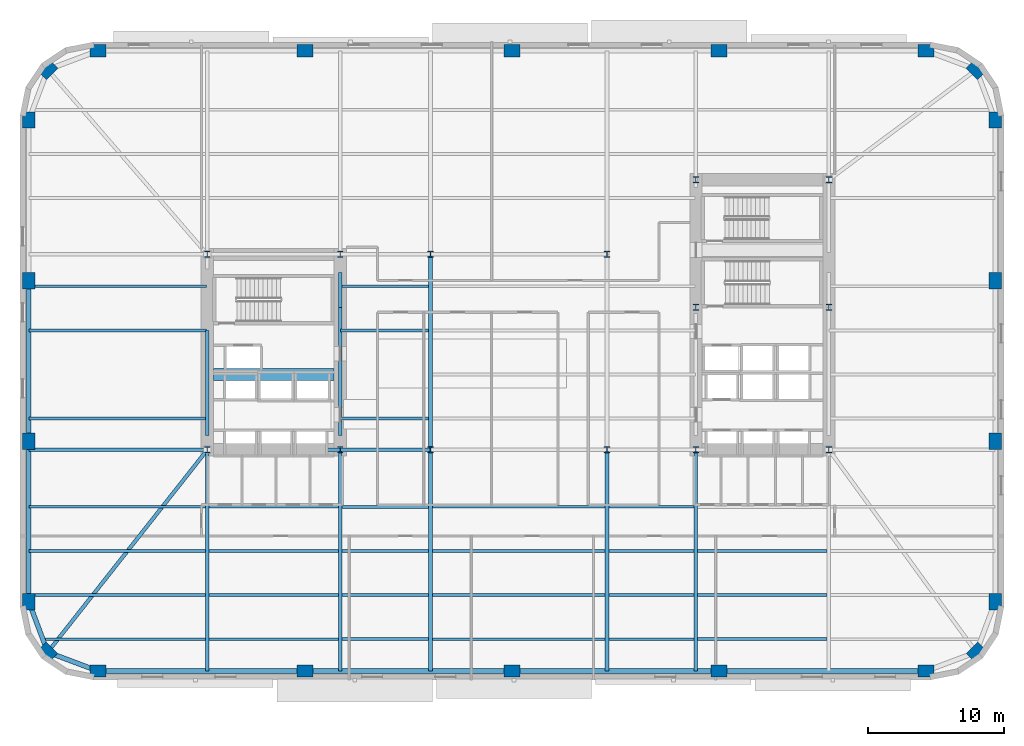
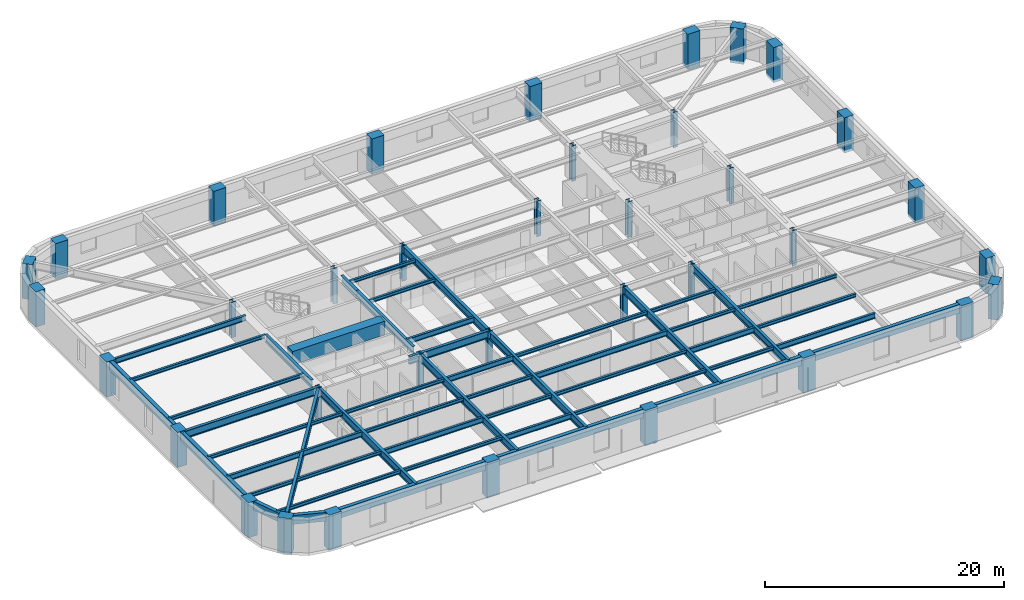
# One storey, part 1 of 14: 50 beams, 36 columns.
"""IFC4 building model written with IfcOpenShell, lengths in metres."""

from ifc_helpers import new_model, si_unit, direction, frame, origin, origin_2d, place, context, subcontext, project, spatial, rectangle, hollow_rectangle, i_section, extrude, material, material_profile, profile_set, type_object, element, save


model = new_model("IFC4")

# Units and contexts
model_context = context("Model", 3, precision=1e-05, world=origin(), true_north=direction((0.0, 1.0)))
body_context = subcontext(model_context, "Body", "Model", "MODEL_VIEW")
ifc_project = project(units=[si_unit("LENGTHUNIT", "METRE"), si_unit("AREAUNIT", "SQUARE_METRE"), si_unit("VOLUMEUNIT", "CUBIC_METRE"), si_unit("PLANEANGLEUNIT", "RADIAN"), si_unit("MASSUNIT", "GRAM", prefix="KILO")], contexts=[model_context])

# Site, building, storey
site_placement = place(None, origin())
site = spatial("IfcSite", under=ifc_project, at=site_placement, CompositionType="ELEMENT")
building_placement = place(site_placement, origin())
building = spatial("IfcBuilding", under=site, at=building_placement, Name="Kolvaren Arena Tower", CompositionType="ELEMENT")
storey_placement = place(building_placement, frame((0.0, 0.0, 90.75)))
storey = spatial("IfcBuildingStorey", under=building, at=storey_placement, Name="L20", CompositionType="ELEMENT", Elevation=90.75)

# Columns
ifc_material_1 = material(Name="Precast concrete C70/85", Category="concrete")
ifc_material_profile_1 = material_profile(ifc_material_1, rectangle(XDim=1.199951171875, YDim=0.89990234375, at=origin_2d()), Name="RC-1200x900")
ifc_profile_set_1 = profile_set([ifc_material_profile_1], Name="Precast concrete C70/85")
column_type_1 = type_object("IfcColumnType", Name="EXCOL-Z1", PredefinedType="COLUMN", material=ifc_profile_set_1)
for number, where, z_axis, x_axis, name in (
    (1, (6.5, 3.14990234375, -0.27001953125), (0.0, 0.0, 1.0), (1.0, 0.0, 0.0), "Exoskeleton Perimeter Column 01 (L20)"),
    (2, (21.75, 3.14990234375, -0.27001953125), (0.0, 0.0, 1.0), (1.0, 0.0, 0.0), "Exoskeleton Perimeter Column 02 (L20)"),
    (3, (37.0, 3.14990234375, -0.27001953125), (0.0, 0.0, 1.0), (1.0, 0.0, 0.0), "Exoskeleton Perimeter Column 03 (L20)"),
    (4, (52.25, 3.14990234375, -0.27001953125), (0.0, 0.0, 1.0), (1.0, 0.0, 0.0), "Exoskeleton Perimeter Column 04 (L20)"),
    (5, (67.5, 3.14990234375, -0.27001953125), (0.0, 0.0, 1.0), (1.0, 0.0, 0.0), "Exoskeleton Perimeter Column 05 (L20)"),
    (6, (71.208740234375, 4.541259765625, -0.27001953125), (0.0, 0.0, 1.0), (0.707106781187, 0.707106781187, 0.0), "Exoskeleton Perimeter Column 06 (L20)"),
    (7, (72.60009765625, 8.25, -0.27001953125), (0.0, 0.0, 1.0), (0.0, 1.0, 0.0), "Exoskeleton Perimeter Column 07 (L20)"),
    (8, (72.60009765625, 20.083251953125, -0.27001953125), (0.0, 0.0, 1.0), (0.0, 1.0, 0.0), "Exoskeleton Perimeter Column 08 (L20)"),
    (9, (72.60009765625, 31.916748046875, -0.27001953125), (0.0, 0.0, 1.0), (0.0, 1.0, 0.0), "Exoskeleton Perimeter Column 09 (L20)"),
    (10, (72.60009765625, 43.75, -0.27001953125), (0.0, 0.0, 1.0), (0.0, 1.0, 0.0), "Exoskeleton Perimeter Column 10 (L20)"),
    (11, (71.208740234375, 47.458740234375, -0.27001953125), (0.0, 0.0, 1.0), (-0.707106781187, 0.707106781187, 0.0), "Exoskeleton Perimeter Column 11 (L20)"),
    (12, (67.5, 48.85009765625, -0.27001953125), (0.0, 0.0, 1.0), (1.0, 0.0, 0.0), "Exoskeleton Perimeter Column 12 (L20)"),
    (13, (52.25, 48.85009765625, -0.27001953125), (0.0, 0.0, 1.0), (1.0, 0.0, 0.0), "Exoskeleton Perimeter Column 13 (L20)"),
    (14, (37.0, 48.85009765625, -0.27001953125), (0.0, 0.0, 1.0), (1.0, 0.0, 0.0), "Exoskeleton Perimeter Column 14 (L20)"),
    (15, (21.75, 48.85009765625, -0.27001953125), (0.0, 0.0, 1.0), (1.0, 0.0, 0.0), "Exoskeleton Perimeter Column 15 (L20)"),
    (16, (6.5, 48.85009765625, -0.27001953125), (0.0, 0.0, 1.0), (1.0, 0.0, 0.0), "Exoskeleton Perimeter Column 16 (L20)"),
    (17, (2.791259765625, 47.458740234375, -0.27001953125), (0.0, 0.0, 1.0), (0.707106781187, 0.707106781187, 0.0), "Exoskeleton Perimeter Column 17 (L20)"),
    (18, (1.39990234375, 43.75, -0.27001953125), (0.0, 0.0, 1.0), (0.0, 1.0, 0.0), "Exoskeleton Perimeter Column 18 (L20)"),
    (19, (1.39990234375, 31.916748046875, -0.27001953125), (0.0, 0.0, 1.0), (0.0, 1.0, 0.0), "Exoskeleton Perimeter Column 19 (L20)"),
    (20, (1.39990234375, 20.083251953125, -0.27001953125), (0.0, 0.0, 1.0), (0.0, 1.0, 0.0), "Exoskeleton Perimeter Column 20 (L20)"),
    (21, (1.39990234375, 8.25, -0.27001953125), (0.0, 0.0, 1.0), (0.0, 1.0, 0.0), "Exoskeleton Perimeter Column 21 (L20)"),
    (22, (2.791259765625, 4.541259765625, -0.27001953125), (0.0, 0.0, 1.0), (-0.707106781187, 0.707106781187, 0.0), "Exoskeleton Perimeter Column 22 (L20)"),
):
    element("IfcColumn", number, at=place(storey_placement, frame(where, z_axis=z_axis, x_axis=x_axis)), inside=storey, type_object=column_type_1, Name=name, PredefinedType="COLUMN", context=body_context, shape_type="SweptSolid", body=[
        extrude(rectangle(XDim=1.199951171875, YDim=0.89990234375, at=origin_2d()), origin(), (0.0, 0.0, 1.0), 3.60009765625),
    ])
ifc_material_2 = material(Name="Steel ASTM A913 Grade 65", Category="steel")
ifc_material_profile_2 = material_profile(ifc_material_2, i_section(OverallWidth=0.424072265625, OverallDepth=0.47412109375, WebThickness=0.047607421875, FlangeThickness=0.076904296875, FilletRadius=0.02001953125, at=origin_2d()), Name="W360x634")
ifc_profile_set_2 = profile_set([ifc_material_profile_2], Name="Steel ASTM A913 Grade 65")
column_type_2 = type_object("IfcColumnType", Name="SCOL-Z1", PredefinedType="COLUMN", material=ifc_profile_set_2)
for number, where, z_axis, x_axis, name in (
    (23, (14.550048828125, 19.449951171875, -0.27001953125), (0.0, 0.0, 1.0), (1.0, 0.0, 0.0), "Core Boundary Column WC-SW (L20)"),
    (24, (24.35009765625, 19.449951171875, -0.27001953125), (0.0, 0.0, 1.0), (1.0, 0.0, 0.0), "Core Boundary Column WC-SE (L20)"),
    (25, (14.550048828125, 33.85009765625, -0.27001953125), (0.0, 0.0, 1.0), (1.0, 0.0, 0.0), "Core Boundary Column WC-NW (L20)"),
    (26, (24.35009765625, 33.85009765625, -0.27001953125), (0.0, 0.0, 1.0), (1.0, 0.0, 0.0), "Core Boundary Column WC-NE (L20)"),
    (27, (50.550048828125, 19.449951171875, -0.27001953125), (0.0, 0.0, 1.0), (1.0, 0.0, 0.0), "Core Boundary Column EC-SW (L20)"),
    (28, (60.35009765625, 19.449951171875, -0.27001953125), (0.0, 0.0, 1.0), (1.0, 0.0, 0.0), "Core Boundary Column EC-SE (L20)"),
    (29, (50.550048828125, 29.949951171875, -0.27001953125), (0.0, 0.0, 1.0), (1.0, 0.0, 0.0), "Core Boundary Column EC-MW (L20)"),
    (30, (60.35009765625, 29.949951171875, -0.27001953125), (0.0, 0.0, 1.0), (1.0, 0.0, 0.0), "Core Boundary Column EC-ME (L20)"),
    (31, (50.550048828125, 39.35009765625, -0.27001953125), (0.0, 0.0, 1.0), (1.0, 0.0, 0.0), "Core Boundary Column EC-NW (L20)"),
    (32, (60.35009765625, 39.35009765625, -0.27001953125), (0.0, 0.0, 1.0), (1.0, 0.0, 0.0), "Core Boundary Column EC-NE (L20)"),
    (33, (31.0, 19.449951171875, -0.27001953125), (0.0, 0.0, 1.0), (1.0, 0.0, 0.0), "Interior Gravity Column TC-SW (L20)"),
    (34, (44.0, 19.449951171875, -0.27001953125), (0.0, 0.0, 1.0), (1.0, 0.0, 0.0), "Interior Gravity Column TC-SE (L20)"),
    (35, (31.0, 33.85009765625, -0.27001953125), (0.0, 0.0, 1.0), (1.0, 0.0, 0.0), "Interior Gravity Column TC-NW (L20)"),
    (36, (44.0, 33.85009765625, -0.27001953125), (0.0, 0.0, 1.0), (1.0, 0.0, 0.0), "Interior Gravity Column TC-NE (L20)"),
):
    element("IfcColumn", number, at=place(storey_placement, frame(where, z_axis=z_axis, x_axis=x_axis)), inside=storey, type_object=column_type_2, Name=name, PredefinedType="COLUMN", context=body_context, shape_type="SweptSolid", body=[
        extrude(i_section(OverallWidth=0.424072265625, OverallDepth=0.47412109375, WebThickness=0.047607421875, FlangeThickness=0.076904296875, FilletRadius=0.02001953125, at=origin_2d()), origin(), (0.0, 0.0, 1.0), 3.60009765625),
    ])

# Beams
ifc_material_3 = material(Name="Steel CSA G40.21 350W", Category="steel")
ifc_material_profile_3 = material_profile(ifc_material_3, i_section(OverallWidth=0.2119140625, OverallDepth=0.54296875, WebThickness=0.01318359375, FlangeThickness=0.0244140625, FilletRadius=0.013916015625, at=origin_2d()), Name="W530x150")
ifc_profile_set_3 = profile_set([ifc_material_profile_3], Name="Steel CSA G40.21 350W")
beam_type_1 = type_object("IfcBeamType", Name="BEAM-F1", PredefinedType="BEAM", material=ifc_profile_set_3)
beam_1_placement = place(storey_placement, frame((24.485107421875, 5.5, 3.05859375), z_axis=(1.0, 0.0, 0.0), x_axis=(0.0, 1.0, 0.0)))
element("IfcBeam", 37, at=beam_1_placement, inside=storey, type_object=beam_type_1, Name="Composite Floor Beam (L20)", PredefinedType="BEAM", context=body_context, shape_type="SweptSolid", body=[
    extrude(i_section(OverallWidth=0.2119140625, OverallDepth=0.54296875, WebThickness=0.01318359375, FlangeThickness=0.0244140625, FilletRadius=0.013916015625, at=origin_2d()), origin(), (0.0, 0.0, 1.0), 6.3798828125),
])
for number, where, z_axis, x_axis, name in (
    (38, (50.68505859375, 5.5, 3.05859375), (1.0, 0.0, 0.0), (0.0, 1.0, 0.0), "Composite Floor Beam (L20)"),
    (39, (14.68505859375, 8.75, 3.05859375), (1.0, 0.0, 0.0), (0.0, 1.0, 0.0), "Composite Floor Beam (L20)"),
):
    element("IfcBeam", number, at=place(storey_placement, frame(where, z_axis=z_axis, x_axis=x_axis)), inside=storey, type_object=beam_type_1, Name=name, PredefinedType="BEAM", context=body_context, shape_type="SweptSolid", body=[
        extrude(i_section(OverallWidth=0.2119140625, OverallDepth=0.54296875, WebThickness=0.01318359375, FlangeThickness=0.0244140625, FilletRadius=0.013916015625, at=origin_2d()), origin(), (0.0, 0.0, 1.0), 9.530029296875),
    ])
beam_2_placement = place(storey_placement, frame((44.135009765625, 8.75, 3.05859375), z_axis=(1.0, 0.0, 0.0), x_axis=(0.0, 1.0, 0.0)))
element("IfcBeam", 40, at=beam_2_placement, inside=storey, type_object=beam_type_1, Name="Composite Floor Beam (L20)", PredefinedType="BEAM", context=body_context, shape_type="SweptSolid", body=[
    extrude(i_section(OverallWidth=0.2119140625, OverallDepth=0.54296875, WebThickness=0.01318359375, FlangeThickness=0.0244140625, FilletRadius=0.013916015625, at=origin_2d()), origin(), (0.0, 0.0, 1.0), 6.280029296875),
])
beam_3_placement = place(storey_placement, frame((1.39990234375, 12.0, 3.05859375), z_axis=(1.0, 0.0, 0.0), x_axis=(0.0, 1.0, 0.0)))
element("IfcBeam", 41, at=beam_3_placement, inside=storey, type_object=beam_type_1, Name="Composite Floor Beam (L20)", PredefinedType="BEAM", context=body_context, shape_type="SweptSolid", body=[
    extrude(i_section(OverallWidth=0.2119140625, OverallDepth=0.54296875, WebThickness=0.01318359375, FlangeThickness=0.0244140625, FilletRadius=0.013916015625, at=origin_2d()), origin(), (0.0, 0.0, 1.0), 13.01513671875),
])
beam_4_placement = place(storey_placement, frame((31.135009765625, 12.0, 3.05859375), z_axis=(1.0, 0.0, 0.0), x_axis=(0.0, 1.0, 0.0)))
element("IfcBeam", 42, at=beam_4_placement, inside=storey, type_object=beam_type_1, Name="Composite Floor Beam (L20)", PredefinedType="BEAM", context=body_context, shape_type="SweptSolid", body=[
    extrude(i_section(OverallWidth=0.2119140625, OverallDepth=0.54296875, WebThickness=0.01318359375, FlangeThickness=0.0244140625, FilletRadius=0.013916015625, at=origin_2d()), origin(), (0.0, 0.0, 1.0), 12.72998046875),
])
beam_5_placement = place(storey_placement, frame((24.485107421875, 15.25, 3.05859375), z_axis=(1.0, 0.0, 0.0), x_axis=(0.0, 1.0, 0.0)))
element("IfcBeam", 43, at=beam_5_placement, inside=storey, type_object=beam_type_1, Name="Composite Floor Beam (L20)", PredefinedType="BEAM", context=body_context, shape_type="SweptSolid", body=[
    extrude(i_section(OverallWidth=0.2119140625, OverallDepth=0.54296875, WebThickness=0.01318359375, FlangeThickness=0.0244140625, FilletRadius=0.013916015625, at=origin_2d()), origin(), (0.0, 0.0, 1.0), 6.3798828125),
])
beam_6_placement = place(storey_placement, frame((24.3701171875, 21.75, 3.05859375), z_axis=(1.0, 0.0, 0.0), x_axis=(0.0, 1.0, 0.0)))
element("IfcBeam", 44, at=beam_6_placement, inside=storey, type_object=beam_type_1, Name="Composite Floor Beam (L20)", PredefinedType="BEAM", context=body_context, shape_type="SweptSolid", body=[
    extrude(i_section(OverallWidth=0.2119140625, OverallDepth=0.54296875, WebThickness=0.01318359375, FlangeThickness=0.0244140625, FilletRadius=0.013916015625, at=origin_2d()), origin(), (0.0, 0.0, 1.0), 6.494873046875),
])
beam_7_placement = place(storey_placement, frame((1.39990234375, 31.5, 3.05859375), z_axis=(1.0, 0.0, 0.0), x_axis=(0.0, 1.0, 0.0)))
element("IfcBeam", 45, at=beam_7_placement, inside=storey, type_object=beam_type_1, Name="Composite Floor Beam (L20)", PredefinedType="BEAM", context=body_context, shape_type="SweptSolid", body=[
    extrude(i_section(OverallWidth=0.2119140625, OverallDepth=0.54296875, WebThickness=0.01318359375, FlangeThickness=0.0244140625, FilletRadius=0.013916015625, at=origin_2d()), origin(), (0.0, 0.0, 1.0), 13.080078125),
])
ifc_material_4 = material(Name="Concrete 75 MPa", Category="concrete")
ifc_material_profile_4 = material_profile(ifc_material_4, rectangle(XDim=0.89990234375, YDim=1.39990234375, at=origin_2d()), Name="RC-900x1400")
ifc_profile_set_4 = profile_set([ifc_material_profile_4], Name="Concrete 75 MPa")
beam_type_2 = type_object("IfcBeamType", Name="CB-CORE-1", PredefinedType="BEAM", material=ifc_profile_set_4)
beam_8_placement = place(storey_placement, frame((15.0, 25.0, 2.89990234375), z_axis=(1.0, 0.0, 0.0), x_axis=(0.0, 1.0, 0.0)))
element("IfcBeam", 46, at=beam_8_placement, inside=storey, type_object=beam_type_2, Name="West Core Coupling Beam (L20)", PredefinedType="BEAM", context=body_context, shape_type="SweptSolid", body=[
    extrude(rectangle(XDim=0.89990234375, YDim=1.39990234375, at=origin_2d()), origin(), (0.0, 0.0, 1.0), 8.89990234375),
])
ifc_material_profile_5 = material_profile(ifc_material_3, i_section(OverallWidth=0.27001953125, OverallDepth=0.77294921875, WebThickness=0.019287109375, FlangeThickness=0.033447265625, FilletRadius=0.01806640625, at=origin_2d()), Name="W760x257")
ifc_profile_set_5 = profile_set([ifc_material_profile_5], Name="Steel CSA G40.21 350W")
beam_type_3 = type_object("IfcBeamType", Name="GIRD-T1", PredefinedType="BEAM", material=ifc_profile_set_5)
beam_9_placement = place(storey_placement, frame((2.791259765625, 4.541259765625, 2.943603515625), z_axis=(0.61927986086, 0.785170334343, 0.0), x_axis=(-0.785170334343, 0.61927986086, 0.0)))
element("IfcBeam", 47, at=beam_9_placement, inside=storey, type_object=beam_type_3, Name="Corner Diagonal Tie Girder (L20)", PredefinedType="BEAM", context=body_context, shape_type="SweptSolid", body=[
    extrude(i_section(OverallWidth=0.27001953125, OverallDepth=0.77294921875, WebThickness=0.019287109375, FlangeThickness=0.033447265625, FilletRadius=0.01806640625, at=origin_2d()), origin(), (0.0, 0.0, 1.0), 18.98779296875),
])
beam_10_placement = place(storey_placement, frame((1.39990234375, 19.449951171875, 2.943603515625), z_axis=(1.0, 0.0, 0.0), x_axis=(0.0, 1.0, 0.0)))
element("IfcBeam", 48, at=beam_10_placement, inside=storey, type_object=beam_type_3, Name="Primary Floor Girder (L20)", PredefinedType="BEAM", context=body_context, shape_type="SweptSolid", body=[
    extrude(i_section(OverallWidth=0.27001953125, OverallDepth=0.77294921875, WebThickness=0.019287109375, FlangeThickness=0.033447265625, FilletRadius=0.01806640625, at=origin_2d()), origin(), (0.0, 0.0, 1.0), 13.150146484375),
])
beam_11_placement = place(storey_placement, frame((23.2451171875, 19.449951171875, 2.943603515625), z_axis=(1.0, 0.0, 0.0), x_axis=(0.0, 1.0, 0.0)))
element("IfcBeam", 49, at=beam_11_placement, inside=storey, type_object=beam_type_3, Name="Primary Floor Girder (L20)", PredefinedType="BEAM", context=body_context, shape_type="SweptSolid", body=[
    extrude(i_section(OverallWidth=0.27001953125, OverallDepth=0.77294921875, WebThickness=0.019287109375, FlangeThickness=0.033447265625, FilletRadius=0.01806640625, at=origin_2d()), origin(), (0.0, 0.0, 1.0), 7.7548828125),
])
beam_12_placement = place(storey_placement, frame((14.550048828125, 3.14990234375, 2.943603515625), z_axis=(0.0, 1.0, 0.0), x_axis=(-1.0, 0.0, 0.0)))
element("IfcBeam", 50, at=beam_12_placement, inside=storey, type_object=beam_type_3, Name="Primary Floor Girder (L20)", PredefinedType="BEAM", context=body_context, shape_type="SweptSolid", body=[
    extrude(i_section(OverallWidth=0.27001953125, OverallDepth=0.77294921875, WebThickness=0.019287109375, FlangeThickness=0.033447265625, FilletRadius=0.01806640625, at=origin_2d()), origin(), (0.0, 0.0, 1.0), 16.300048828125),
])
beam_13_placement = place(storey_placement, frame((14.550048828125, 20.5, 2.943603515625), z_axis=(0.0, 1.0, 0.0), x_axis=(-1.0, 0.0, 0.0)))
element("IfcBeam", 51, at=beam_13_placement, inside=storey, type_object=beam_type_3, Name="Primary Floor Girder (L20)", PredefinedType="BEAM", context=body_context, shape_type="SweptSolid", body=[
    extrude(i_section(OverallWidth=0.27001953125, OverallDepth=0.77294921875, WebThickness=0.019287109375, FlangeThickness=0.033447265625, FilletRadius=0.01806640625, at=origin_2d()), origin(), (0.0, 0.0, 1.0), 7.739990234375),
])
beam_14_placement = place(storey_placement, frame((24.35009765625, 3.14990234375, 2.943603515625), z_axis=(0.0, 1.0, 0.0), x_axis=(-1.0, 0.0, 0.0)))
element("IfcBeam", 52, at=beam_14_placement, inside=storey, type_object=beam_type_3, Name="Primary Floor Girder (L20)", PredefinedType="BEAM", context=body_context, shape_type="SweptSolid", body=[
    extrude(i_section(OverallWidth=0.27001953125, OverallDepth=0.77294921875, WebThickness=0.019287109375, FlangeThickness=0.033447265625, FilletRadius=0.01806640625, at=origin_2d()), origin(), (0.0, 0.0, 1.0), 16.300048828125),
])
beam_15_placement = place(storey_placement, frame((24.35009765625, 20.5, 2.943603515625), z_axis=(0.0, 1.0, 0.0), x_axis=(-1.0, 0.0, 0.0)))
element("IfcBeam", 53, at=beam_15_placement, inside=storey, type_object=beam_type_3, Name="Primary Floor Girder (L20)", PredefinedType="BEAM", context=body_context, shape_type="SweptSolid", body=[
    extrude(i_section(OverallWidth=0.27001953125, OverallDepth=0.77294921875, WebThickness=0.019287109375, FlangeThickness=0.033447265625, FilletRadius=0.01806640625, at=origin_2d()), origin(), (0.0, 0.0, 1.0), 9.449951171875),
])
beam_16_placement = place(storey_placement, frame((24.35009765625, 29.949951171875, 2.943603515625), z_axis=(0.0, 1.0, 0.0), x_axis=(-1.0, 0.0, 0.0)))
element("IfcBeam", 54, at=beam_16_placement, inside=storey, type_object=beam_type_3, Name="Primary Floor Girder (L20)", PredefinedType="BEAM", context=body_context, shape_type="SweptSolid", body=[
    extrude(i_section(OverallWidth=0.27001953125, OverallDepth=0.77294921875, WebThickness=0.019287109375, FlangeThickness=0.033447265625, FilletRadius=0.01806640625, at=origin_2d()), origin(), (0.0, 0.0, 1.0), 2.550048828125),
])
beam_17_placement = place(storey_placement, frame((31.0, 3.14990234375, 2.943603515625), z_axis=(0.0, 1.0, 0.0), x_axis=(-1.0, 0.0, 0.0)))
element("IfcBeam", 55, at=beam_17_placement, inside=storey, type_object=beam_type_3, Name="Primary Floor Girder (L20)", PredefinedType="BEAM", context=body_context, shape_type="SweptSolid", body=[
    extrude(i_section(OverallWidth=0.27001953125, OverallDepth=0.77294921875, WebThickness=0.019287109375, FlangeThickness=0.033447265625, FilletRadius=0.01806640625, at=origin_2d()), origin(), (0.0, 0.0, 1.0), 16.300048828125),
])
beam_18_placement = place(storey_placement, frame((31.0, 19.449951171875, 2.943603515625), z_axis=(0.0, 1.0, 0.0), x_axis=(-1.0, 0.0, 0.0)))
element("IfcBeam", 56, at=beam_18_placement, inside=storey, type_object=beam_type_3, Name="Primary Floor Girder (L20)", PredefinedType="BEAM", context=body_context, shape_type="SweptSolid", body=[
    extrude(i_section(OverallWidth=0.27001953125, OverallDepth=0.77294921875, WebThickness=0.019287109375, FlangeThickness=0.033447265625, FilletRadius=0.01806640625, at=origin_2d()), origin(), (0.0, 0.0, 1.0), 14.400146484375),
])
for number, where, z_axis, x_axis, name in (
    (57, (44.0, 3.14990234375, 2.943603515625), (0.0, 1.0, 0.0), (-1.0, 0.0, 0.0), "Primary Floor Girder (L20)"),
    (58, (50.550048828125, 3.14990234375, 2.943603515625), (0.0, 1.0, 0.0), (-1.0, 0.0, 0.0), "Primary Floor Girder (L20)"),
):
    element("IfcBeam", number, at=place(storey_placement, frame(where, z_axis=z_axis, x_axis=x_axis)), inside=storey, type_object=beam_type_3, Name=name, PredefinedType="BEAM", context=body_context, shape_type="SweptSolid", body=[
        extrude(i_section(OverallWidth=0.27001953125, OverallDepth=0.77294921875, WebThickness=0.019287109375, FlangeThickness=0.033447265625, FilletRadius=0.01806640625, at=origin_2d()), origin(), (0.0, 0.0, 1.0), 16.300048828125),
    ])
ifc_material_profile_6 = material_profile(ifc_material_3, i_section(OverallWidth=0.202880859375, OverallDepth=0.346923828125, WebThickness=0.0078125, FlangeThickness=0.013427734375, FilletRadius=0.010986328125, at=origin_2d()), Name="W360x64")
ifc_profile_set_6 = profile_set([ifc_material_profile_6], Name="Steel CSA G40.21 350W")
beam_type_4 = type_object("IfcBeamType", Name="JOIST-01", PredefinedType="JOIST", material=ifc_profile_set_6)
beam_19_placement = place(storey_placement, frame((2.431396484375, 5.5, 3.156494140625), z_axis=(1.0, 0.0, 0.0), x_axis=(0.0, 1.0, 0.0)))
element("IfcBeam", 59, at=beam_19_placement, inside=storey, type_object=beam_type_4, Name="Composite Floor Joist (L20)", PredefinedType="JOIST", context=body_context, shape_type="SweptSolid", body=[
    extrude(i_section(OverallWidth=0.202880859375, OverallDepth=0.346923828125, WebThickness=0.0078125, FlangeThickness=0.013427734375, FilletRadius=0.010986328125, at=origin_2d()), origin(), (0.0, 0.0, 1.0), 11.983642578125),
])
beam_20_placement = place(storey_placement, frame((14.68505859375, 5.5, 3.156494140625), z_axis=(1.0, 0.0, 0.0), x_axis=(0.0, 1.0, 0.0)))
element("IfcBeam", 60, at=beam_20_placement, inside=storey, type_object=beam_type_4, Name="Composite Floor Joist (L20)", PredefinedType="JOIST", context=body_context, shape_type="SweptSolid", body=[
    extrude(i_section(OverallWidth=0.202880859375, OverallDepth=0.346923828125, WebThickness=0.0078125, FlangeThickness=0.013427734375, FilletRadius=0.010986328125, at=origin_2d()), origin(), (0.0, 0.0, 1.0), 9.530029296875),
])
beam_21_placement = place(storey_placement, frame((31.135009765625, 5.5, 3.156494140625), z_axis=(1.0, 0.0, 0.0), x_axis=(0.0, 1.0, 0.0)))
element("IfcBeam", 61, at=beam_21_placement, inside=storey, type_object=beam_type_4, Name="Composite Floor Joist (L20)", PredefinedType="JOIST", context=body_context, shape_type="SweptSolid", body=[
    extrude(i_section(OverallWidth=0.202880859375, OverallDepth=0.346923828125, WebThickness=0.0078125, FlangeThickness=0.013427734375, FilletRadius=0.010986328125, at=origin_2d()), origin(), (0.0, 0.0, 1.0), 12.72998046875),
])
beam_22_placement = place(storey_placement, frame((44.135009765625, 5.5, 3.156494140625), z_axis=(1.0, 0.0, 0.0), x_axis=(0.0, 1.0, 0.0)))
element("IfcBeam", 62, at=beam_22_placement, inside=storey, type_object=beam_type_4, Name="Composite Floor Joist (L20)", PredefinedType="JOIST", context=body_context, shape_type="SweptSolid", body=[
    extrude(i_section(OverallWidth=0.202880859375, OverallDepth=0.346923828125, WebThickness=0.0078125, FlangeThickness=0.013427734375, FilletRadius=0.010986328125, at=origin_2d()), origin(), (0.0, 0.0, 1.0), 6.280029296875),
])
beam_23_placement = place(storey_placement, frame((1.39990234375, 8.75, 3.156494140625), z_axis=(1.0, 0.0, 0.0), x_axis=(0.0, 1.0, 0.0)))
element("IfcBeam", 63, at=beam_23_placement, inside=storey, type_object=beam_type_4, Name="Composite Floor Joist (L20)", PredefinedType="JOIST", context=body_context, shape_type="SweptSolid", body=[
    extrude(i_section(OverallWidth=0.202880859375, OverallDepth=0.346923828125, WebThickness=0.0078125, FlangeThickness=0.013427734375, FilletRadius=0.010986328125, at=origin_2d()), origin(), (0.0, 0.0, 1.0), 13.01513671875),
])
beam_24_placement = place(storey_placement, frame((24.485107421875, 8.75, 3.156494140625), z_axis=(1.0, 0.0, 0.0), x_axis=(0.0, 1.0, 0.0)))
element("IfcBeam", 64, at=beam_24_placement, inside=storey, type_object=beam_type_4, Name="Composite Floor Joist (L20)", PredefinedType="JOIST", context=body_context, shape_type="SweptSolid", body=[
    extrude(i_section(OverallWidth=0.202880859375, OverallDepth=0.346923828125, WebThickness=0.0078125, FlangeThickness=0.013427734375, FilletRadius=0.010986328125, at=origin_2d()), origin(), (0.0, 0.0, 1.0), 6.3798828125),
])
beam_25_placement = place(storey_placement, frame((31.135009765625, 8.75, 3.156494140625), z_axis=(1.0, 0.0, 0.0), x_axis=(0.0, 1.0, 0.0)))
element("IfcBeam", 65, at=beam_25_placement, inside=storey, type_object=beam_type_4, Name="Composite Floor Joist (L20)", PredefinedType="JOIST", context=body_context, shape_type="SweptSolid", body=[
    extrude(i_section(OverallWidth=0.202880859375, OverallDepth=0.346923828125, WebThickness=0.0078125, FlangeThickness=0.013427734375, FilletRadius=0.010986328125, at=origin_2d()), origin(), (0.0, 0.0, 1.0), 12.72998046875),
])
for number, where, z_axis, x_axis, name in (
    (66, (50.68505859375, 8.75, 3.156494140625), (1.0, 0.0, 0.0), (0.0, 1.0, 0.0), "Composite Floor Joist (L20)"),
    (67, (14.68505859375, 12.0, 3.156494140625), (1.0, 0.0, 0.0), (0.0, 1.0, 0.0), "Composite Floor Joist (L20)"),
):
    element("IfcBeam", number, at=place(storey_placement, frame(where, z_axis=z_axis, x_axis=x_axis)), inside=storey, type_object=beam_type_4, Name=name, PredefinedType="JOIST", context=body_context, shape_type="SweptSolid", body=[
        extrude(i_section(OverallWidth=0.202880859375, OverallDepth=0.346923828125, WebThickness=0.0078125, FlangeThickness=0.013427734375, FilletRadius=0.010986328125, at=origin_2d()), origin(), (0.0, 0.0, 1.0), 9.530029296875),
    ])
beam_26_placement = place(storey_placement, frame((24.485107421875, 12.0, 3.156494140625), z_axis=(1.0, 0.0, 0.0), x_axis=(0.0, 1.0, 0.0)))
element("IfcBeam", 68, at=beam_26_placement, inside=storey, type_object=beam_type_4, Name="Composite Floor Joist (L20)", PredefinedType="JOIST", context=body_context, shape_type="SweptSolid", body=[
    extrude(i_section(OverallWidth=0.202880859375, OverallDepth=0.346923828125, WebThickness=0.0078125, FlangeThickness=0.013427734375, FilletRadius=0.010986328125, at=origin_2d()), origin(), (0.0, 0.0, 1.0), 6.3798828125),
])
beam_27_placement = place(storey_placement, frame((44.135009765625, 12.0, 3.156494140625), z_axis=(1.0, 0.0, 0.0), x_axis=(0.0, 1.0, 0.0)))
element("IfcBeam", 69, at=beam_27_placement, inside=storey, type_object=beam_type_4, Name="Composite Floor Joist (L20)", PredefinedType="JOIST", context=body_context, shape_type="SweptSolid", body=[
    extrude(i_section(OverallWidth=0.202880859375, OverallDepth=0.346923828125, WebThickness=0.0078125, FlangeThickness=0.013427734375, FilletRadius=0.010986328125, at=origin_2d()), origin(), (0.0, 0.0, 1.0), 6.280029296875),
])
beam_28_placement = place(storey_placement, frame((50.68505859375, 12.0, 3.156494140625), z_axis=(1.0, 0.0, 0.0), x_axis=(0.0, 1.0, 0.0)))
element("IfcBeam", 70, at=beam_28_placement, inside=storey, type_object=beam_type_4, Name="Composite Floor Joist (L20)", PredefinedType="JOIST", context=body_context, shape_type="SweptSolid", body=[
    extrude(i_section(OverallWidth=0.202880859375, OverallDepth=0.346923828125, WebThickness=0.0078125, FlangeThickness=0.013427734375, FilletRadius=0.010986328125, at=origin_2d()), origin(), (0.0, 0.0, 1.0), 9.530029296875),
])
beam_29_placement = place(storey_placement, frame((1.39990234375, 15.25, 3.156494140625), z_axis=(1.0, 0.0, 0.0), x_axis=(0.0, 1.0, 0.0)))
element("IfcBeam", 71, at=beam_29_placement, inside=storey, type_object=beam_type_4, Name="Composite Floor Joist (L20)", PredefinedType="JOIST", context=body_context, shape_type="SweptSolid", body=[
    extrude(i_section(OverallWidth=0.202880859375, OverallDepth=0.346923828125, WebThickness=0.0078125, FlangeThickness=0.013427734375, FilletRadius=0.010986328125, at=origin_2d()), origin(), (0.0, 0.0, 1.0), 13.01513671875),
])
beam_30_placement = place(storey_placement, frame((14.68505859375, 15.25, 3.156494140625), z_axis=(1.0, 0.0, 0.0), x_axis=(0.0, 1.0, 0.0)))
element("IfcBeam", 72, at=beam_30_placement, inside=storey, type_object=beam_type_4, Name="Composite Floor Joist (L20)", PredefinedType="JOIST", context=body_context, shape_type="SweptSolid", body=[
    extrude(i_section(OverallWidth=0.202880859375, OverallDepth=0.346923828125, WebThickness=0.0078125, FlangeThickness=0.013427734375, FilletRadius=0.010986328125, at=origin_2d()), origin(), (0.0, 0.0, 1.0), 9.530029296875),
])
beam_31_placement = place(storey_placement, frame((31.135009765625, 15.25, 3.156494140625), z_axis=(1.0, 0.0, 0.0), x_axis=(0.0, 1.0, 0.0)))
element("IfcBeam", 73, at=beam_31_placement, inside=storey, type_object=beam_type_4, Name="Composite Floor Joist (L20)", PredefinedType="JOIST", context=body_context, shape_type="SweptSolid", body=[
    extrude(i_section(OverallWidth=0.202880859375, OverallDepth=0.346923828125, WebThickness=0.0078125, FlangeThickness=0.013427734375, FilletRadius=0.010986328125, at=origin_2d()), origin(), (0.0, 0.0, 1.0), 12.72998046875),
])
beam_32_placement = place(storey_placement, frame((44.135009765625, 15.25, 3.156494140625), z_axis=(1.0, 0.0, 0.0), x_axis=(0.0, 1.0, 0.0)))
element("IfcBeam", 74, at=beam_32_placement, inside=storey, type_object=beam_type_4, Name="Composite Floor Joist (L20)", PredefinedType="JOIST", context=body_context, shape_type="SweptSolid", body=[
    extrude(i_section(OverallWidth=0.202880859375, OverallDepth=0.346923828125, WebThickness=0.0078125, FlangeThickness=0.013427734375, FilletRadius=0.010986328125, at=origin_2d()), origin(), (0.0, 0.0, 1.0), 6.280029296875),
])
beam_33_placement = place(storey_placement, frame((1.39990234375, 21.75, 3.156494140625), z_axis=(1.0, 0.0, 0.0), x_axis=(0.0, 1.0, 0.0)))
element("IfcBeam", 75, at=beam_33_placement, inside=storey, type_object=beam_type_4, Name="Composite Floor Joist (L20)", PredefinedType="JOIST", context=body_context, shape_type="SweptSolid", body=[
    extrude(i_section(OverallWidth=0.202880859375, OverallDepth=0.346923828125, WebThickness=0.0078125, FlangeThickness=0.013427734375, FilletRadius=0.010986328125, at=origin_2d()), origin(), (0.0, 0.0, 1.0), 13.130126953125),
])
beam_34_placement = place(storey_placement, frame((1.39990234375, 28.25, 3.156494140625), z_axis=(1.0, 0.0, 0.0), x_axis=(0.0, 1.0, 0.0)))
element("IfcBeam", 76, at=beam_34_placement, inside=storey, type_object=beam_type_4, Name="Composite Floor Joist (L20)", PredefinedType="JOIST", context=body_context, shape_type="SweptSolid", body=[
    extrude(i_section(OverallWidth=0.202880859375, OverallDepth=0.346923828125, WebThickness=0.0078125, FlangeThickness=0.013427734375, FilletRadius=0.010986328125, at=origin_2d()), origin(), (0.0, 0.0, 1.0), 13.080078125),
])
for number, where, z_axis, x_axis, name in (
    (77, (24.3701171875, 28.25, 3.156494140625), (1.0, 0.0, 0.0), (0.0, 1.0, 0.0), "Composite Floor Joist (L20)"),
    (78, (24.3701171875, 31.5, 3.156494140625), (1.0, 0.0, 0.0), (0.0, 1.0, 0.0), "Composite Floor Joist (L20)"),
):
    element("IfcBeam", number, at=place(storey_placement, frame(where, z_axis=z_axis, x_axis=x_axis)), inside=storey, type_object=beam_type_4, Name=name, PredefinedType="JOIST", context=body_context, shape_type="SweptSolid", body=[
        extrude(i_section(OverallWidth=0.202880859375, OverallDepth=0.346923828125, WebThickness=0.0078125, FlangeThickness=0.013427734375, FilletRadius=0.010986328125, at=origin_2d()), origin(), (0.0, 0.0, 1.0), 6.494873046875),
    ])
ifc_material_5 = material(Name="Steel CSA G40.21 350WT", Category="steel")
ifc_material_profile_7 = material_profile(ifc_material_5, hollow_rectangle(XDim=0.35009765625, YDim=0.89990234375, WallThickness=0.02001953125, at=origin_2d()), Name="HSS 900x350x20")
ifc_profile_set_7 = profile_set([ifc_material_profile_7], Name="Steel CSA G40.21 350WT")
beam_type_5 = type_object("IfcBeamType", Name="SPAND-01", PredefinedType="SPANDREL", material=ifc_profile_set_7)
for number, where, z_axis, x_axis, name in (
    (79, (6.5, 3.14990234375, 2.8798828125), (1.0, 0.0, 0.0), (0.0, 1.0, 0.0), "Perimeter Spandrel Beam (L20)"),
    (80, (21.75, 3.14990234375, 2.8798828125), (1.0, 0.0, 0.0), (0.0, 1.0, 0.0), "Perimeter Spandrel Beam (L20)"),
    (81, (37.0, 3.14990234375, 2.8798828125), (1.0, 0.0, 0.0), (0.0, 1.0, 0.0), "Perimeter Spandrel Beam (L20)"),
    (82, (52.25, 3.14990234375, 2.8798828125), (1.0, 0.0, 0.0), (0.0, 1.0, 0.0), "Perimeter Spandrel Beam (L20)"),
):
    element("IfcBeam", number, at=place(storey_placement, frame(where, z_axis=z_axis, x_axis=x_axis)), inside=storey, type_object=beam_type_5, Name=name, PredefinedType="SPANDREL", context=body_context, shape_type="SweptSolid", body=[
        extrude(hollow_rectangle(XDim=0.35009765625, YDim=0.89990234375, WallThickness=0.02001953125, at=origin_2d()), origin(), (0.0, 0.0, 1.0), 15.25),
    ])
beam_35_placement = place(storey_placement, frame((1.39990234375, 31.916748046875, 2.8798828125), z_axis=(0.0, -1.0, 0.0), x_axis=(1.0, 0.0, 0.0)))
element("IfcBeam", 83, at=beam_35_placement, inside=storey, type_object=beam_type_5, Name="Perimeter Spandrel Beam (L20)", PredefinedType="SPANDREL", context=body_context, shape_type="SweptSolid", body=[
    extrude(hollow_rectangle(XDim=0.35009765625, YDim=0.89990234375, WallThickness=0.02001953125, at=origin_2d()), origin(), (0.0, 0.0, 1.0), 11.83349609375),
])
beam_36_placement = place(storey_placement, frame((1.39990234375, 20.083251953125, 2.8798828125), z_axis=(0.0, -1.0, 0.0), x_axis=(1.0, 0.0, 0.0)))
element("IfcBeam", 84, at=beam_36_placement, inside=storey, type_object=beam_type_5, Name="Perimeter Spandrel Beam (L20)", PredefinedType="SPANDREL", context=body_context, shape_type="SweptSolid", body=[
    extrude(hollow_rectangle(XDim=0.35009765625, YDim=0.89990234375, WallThickness=0.02001953125, at=origin_2d()), origin(), (0.0, 0.0, 1.0), 11.833251953125),
])
for number, where, z_axis, x_axis, name in (
    (85, (1.39990234375, 8.25, 2.8798828125), (0.351251771955, -0.93628104365, 0.0), (0.93628104365, 0.351251771955, 0.0), "Perimeter Spandrel Beam (L20)"),
    (86, (2.791259765625, 4.541259765625, 2.8798828125), (0.93628104365, -0.351251771955, 0.0), (0.351251771955, 0.93628104365, 0.0), "Perimeter Spandrel Beam (L20)"),
):
    element("IfcBeam", number, at=place(storey_placement, frame(where, z_axis=z_axis, x_axis=x_axis)), inside=storey, type_object=beam_type_5, Name=name, PredefinedType="SPANDREL", context=body_context, shape_type="SweptSolid", body=[
        extrude(hollow_rectangle(XDim=0.35009765625, YDim=0.89990234375, WallThickness=0.02001953125, at=origin_2d()), origin(), (0.0, 0.0, 1.0), 3.961181640625),
    ])

save(model, "model.ifc")
